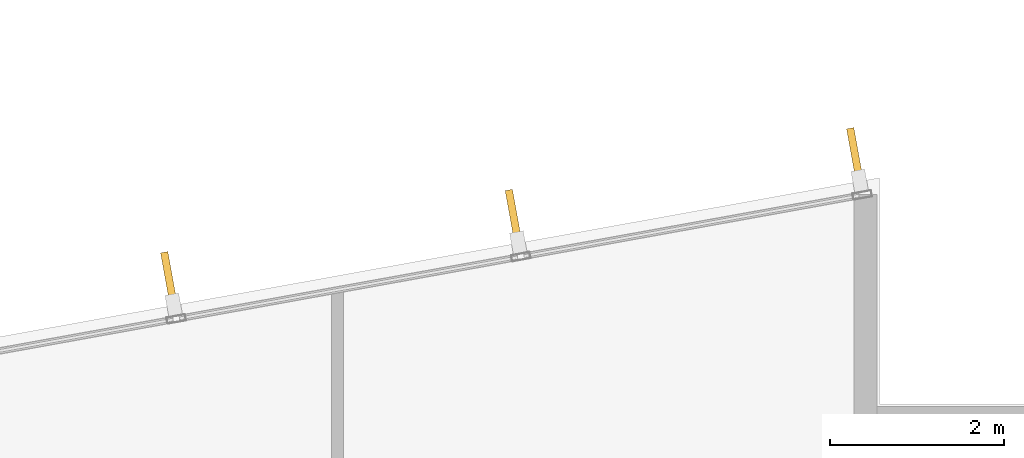
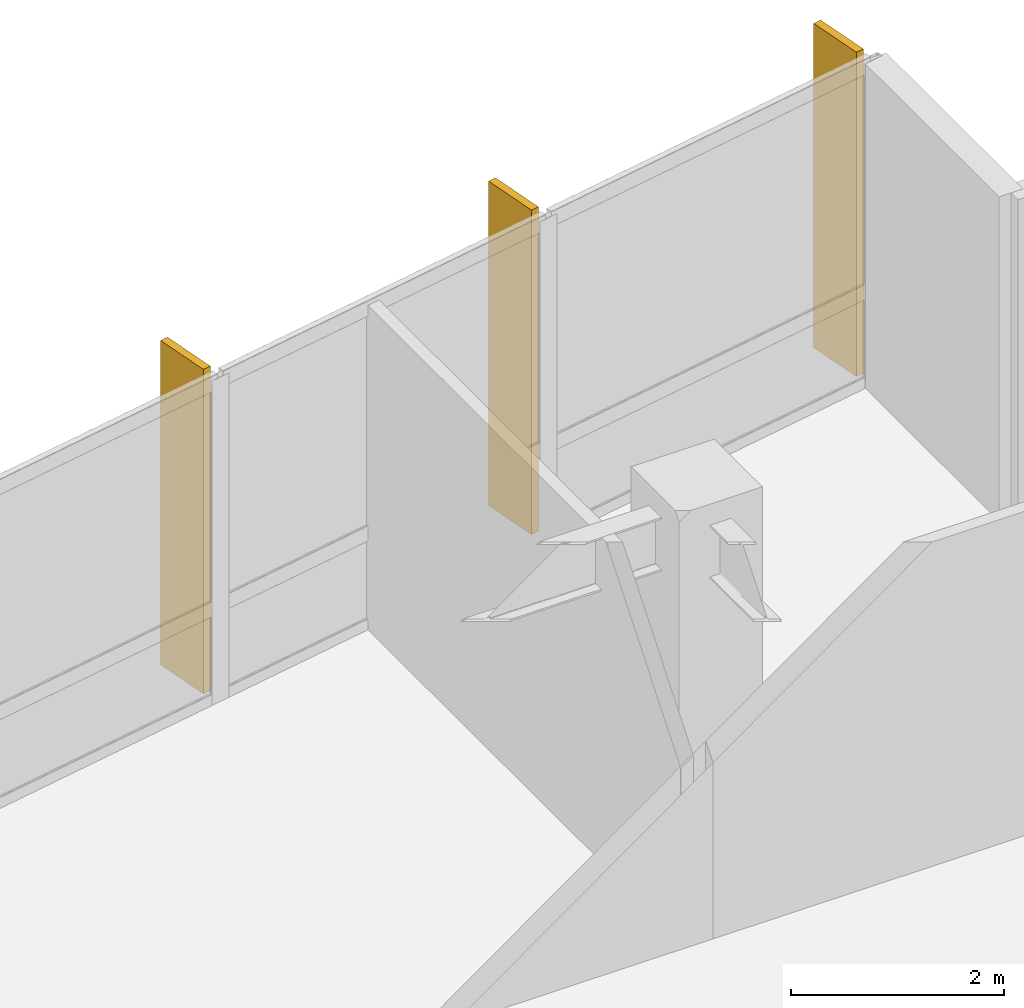
# One storey, part 20 of 20: 3 shading devices.
"""IFC4 building model written with IfcOpenShell, lengths in metres."""

from ifc_helpers import new_model, si_unit, direction, frame, origin, origin_2d, place, context, subcontext, project, spatial, rectangle, extrude, material, layer, layer_set, type_object, element, save


model = new_model("IFC4")

# Units and contexts
model_context = context("Model", 3, precision=1e-05, world=origin(), true_north=direction((0.0, 1.0)))
body_context = subcontext(model_context, "Body", "Model", "MODEL_VIEW")
ifc_project = project(units=[si_unit("LENGTHUNIT", "METRE"), si_unit("AREAUNIT", "SQUARE_METRE"), si_unit("VOLUMEUNIT", "CUBIC_METRE"), si_unit("PLANEANGLEUNIT", "RADIAN"), si_unit("MASSUNIT", "GRAM", prefix="KILO")], contexts=[model_context])

# Site, building, storey
site_placement = place(None, origin())
site = spatial("IfcSite", under=ifc_project, at=site_placement, CompositionType="ELEMENT")
building_placement = place(site_placement, origin())
building = spatial("IfcBuilding", under=site, at=building_placement, Name="Varnakote Quay Hospital", CompositionType="ELEMENT")
storey_placement = place(building_placement, frame((0.0, 0.0, 46.199951171875)))
storey = spatial("IfcBuildingStorey", under=building, at=storey_placement, Name="L11", CompositionType="ELEMENT", Elevation=46.199951171875)

# Shading devices
ifc_material = material(Name="Anodised aluminium 6063-T6 Bronze", Category="aluminium")
ifc_layer = layer(ifc_material, 0.0849609375)
ifc_layer_set = layer_set([ifc_layer], Name="Anodised aluminium 6063-T6 Bronze")
shading_device_type = type_object("IfcShadingDeviceType", Name="SHD-BRONZE-FIN-620", PredefinedType="USERDEFINED", material=ifc_layer_set)
for number, where, z_axis, x_axis, name in (
    (1, (55.319580078125, 34.664306640625, 0.0), (0.0, 0.0, 1.0), (0.177771795263, -0.984071739666, 0.0), "L11 Anodised Bronze Vertical Shading FIN"),
    (2, (51.393798828125, 33.954833984375, 0.0), (0.0, 0.0, 1.0), (0.177771795263, -0.984071739666, 0.0), "L11 Anodised Bronze Vertical Shading FIN"),
    (3, (47.43115234375, 33.23876953125, 0.0), (0.0, 0.0, 1.0), (0.177771795263, -0.984071739666, 0.0), "L11 Anodised Bronze Vertical Shading FIN"),
):
    element("IfcShadingDevice", number, at=place(storey_placement, frame(where, z_axis=z_axis, x_axis=x_axis)), inside=storey, type_object=shading_device_type, Name=name, ObjectType="FIN", PredefinedType="USERDEFINED", context=body_context, shape_type="SweptSolid", body=[
        extrude(rectangle(XDim=0.6201171875, YDim=0.0849609375, at=origin_2d()), origin(), (0.0, 0.0, 1.0), 3.7099609375),
    ])

save(model, "model.ifc")
